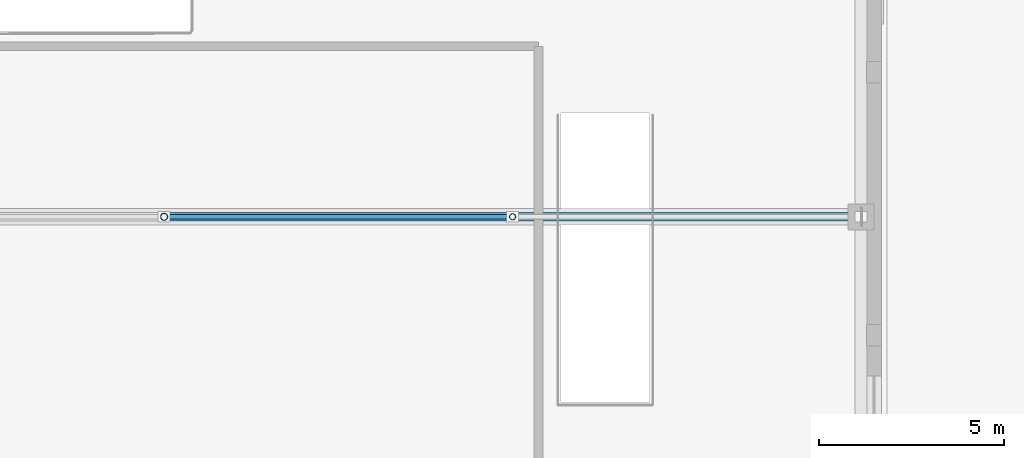
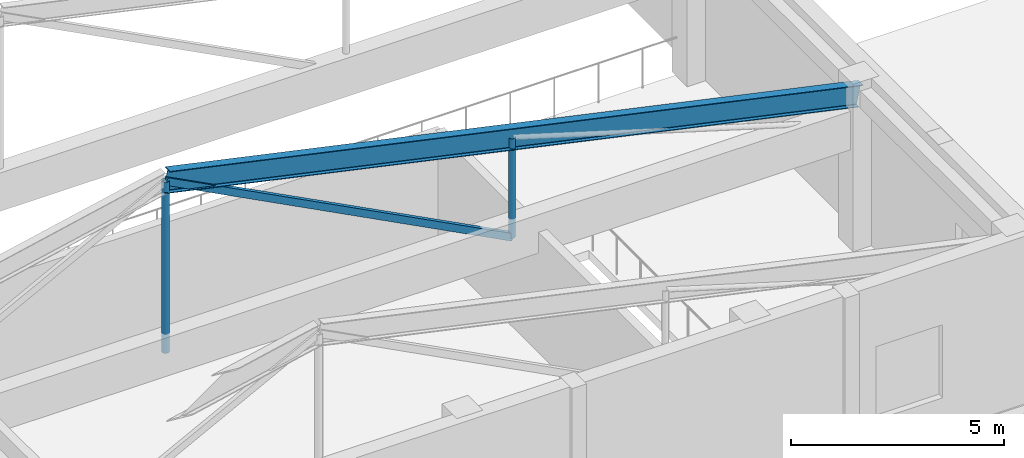
# One storey, part 20 of 105: 3 members, 1 beam.
"""IFC4 building model written with IfcOpenShell, lengths in metres."""

from ifc_helpers import new_model, si_unit, direction, frame, origin, origin_2d, place, context, subcontext, project, spatial, hollow_rectangle, hollow_circle, i_section, extrude, material, material_profile, profile_set, type_object, element, save


model = new_model("IFC4")

# Units and contexts
model_context = context("Model", 3, precision=1e-05, world=origin(), true_north=direction((0.0, 1.0)))
body_context = subcontext(model_context, "Body", "Model", "MODEL_VIEW")
ifc_project = project(units=[si_unit("LENGTHUNIT", "METRE"), si_unit("AREAUNIT", "SQUARE_METRE"), si_unit("VOLUMEUNIT", "CUBIC_METRE"), si_unit("PLANEANGLEUNIT", "RADIAN"), si_unit("MASSUNIT", "GRAM", prefix="KILO")], contexts=[model_context])

# Site, building, storey
site_placement = place(None, origin())
site = spatial("IfcSite", under=ifc_project, at=site_placement, CompositionType="ELEMENT")
building_placement = place(site_placement, origin())
building = spatial("IfcBuilding", under=site, at=building_placement, Name="Pelvatis Terrace Science Centre", CompositionType="ELEMENT")
storey_placement = place(building_placement, frame((0.0, 0.0, 10.199951171875)))
storey = spatial("IfcBuildingStorey", under=building, at=storey_placement, Name="L02", CompositionType="ELEMENT", Elevation=10.199951171875)

# Beam
ifc_material_1 = material(Name="Structural steel S355", Category="steel")
ifc_material_profile_1 = material_profile(ifc_material_1, i_section(OverallWidth=0.22802734375, OverallDepth=0.60791015625, WebThickness=0.01123046875, FlangeThickness=0.017333984375, FilletRadius=0.01611328125, at=origin_2d()), Name="W610x113")
ifc_profile_set_1 = profile_set([ifc_material_profile_1], Name="Structural steel S355")
beam_type = type_object("IfcBeamType", Name="BM-STL-W610x113", PredefinedType="BEAM", material=ifc_profile_set_1)
beam_placement = place(storey_placement, frame((27.300048828125, 78.0, 8.300048828125), z_axis=(0.977034495262, 0.0, -0.213081193603), x_axis=(0.0, 1.0, 0.0)))
element("IfcBeam", 1, at=beam_placement, inside=storey, type_object=beam_type, Name="Theatre roof truss 2 east top girder", PredefinedType="BEAM", context=body_context, shape_type="SweptSolid", body=[
    extrude(i_section(OverallWidth=0.22802734375, OverallDepth=0.60791015625, WebThickness=0.01123046875, FlangeThickness=0.017333984375, FilletRadius=0.01611328125, at=origin_2d()), origin(), (0.0, 0.0, 1.0), 19.241943359375),
])

# Members
ifc_material_2 = material(Name="Structural steel S355", Category="steel")
ifc_material_profile_2 = material_profile(ifc_material_2, hollow_rectangle(XDim=0.1201171875, YDim=0.199951171875, WallThickness=0.00634765625, at=origin_2d()), Name="RHS 200x120x6.3")
ifc_profile_set_2 = profile_set([ifc_material_profile_2], Name="Structural steel S355")
member_type_1 = type_object("IfcMemberType", Name="MEM-BRC-RHS200", PredefinedType="BRACE", material=ifc_profile_set_2)
member_1_placement = place(storey_placement, frame((36.699951171875, 78.0, 3.400146484375), z_axis=(-0.886754801101, 0.0, 0.462240113711), x_axis=(0.0, -1.0, 0.0)))
element("IfcMember", 2, at=member_1_placement, inside=storey, type_object=member_type_1, Name="Theatre truss 2 web 6", PredefinedType="BRACE", context=body_context, shape_type="SweptSolid", body=[
    extrude(hollow_rectangle(XDim=0.1201171875, YDim=0.199951171875, WallThickness=0.00634765625, at=origin_2d()), origin(), (0.0, 0.0, 1.0), 10.600341796875),
])
ifc_material_3 = material(Name="Structural steel S355", Category="steel")
ifc_material_profile_3 = material_profile(ifc_material_3, hollow_circle(Radius=0.084228515625, WallThickness=0.00634765625, at=origin_2d()), Name="CHS 168.3x6.3")
ifc_profile_set_3 = profile_set([ifc_material_profile_3], Name="Structural steel S355")
member_type_2 = type_object("IfcMemberType", Name="MEM-STR-CHS168", PredefinedType="STRUT", material=ifc_profile_set_3)
member_2_placement = place(storey_placement, frame((36.699951171875, 78.0, 3.400146484375), z_axis=(0.0, 0.0, 1.0), x_axis=(1.0, 0.0, 0.0)))
element("IfcMember", 3, at=member_2_placement, inside=storey, type_object=member_type_2, Name="Theatre truss 2 web 2", PredefinedType="STRUT", context=body_context, shape_type="SweptSolid", body=[
    extrude(hollow_circle(Radius=0.084228515625, WallThickness=0.00634765625, at=origin_2d()), origin(), (0.0, 0.0, 1.0), 2.849853515625),
])
ifc_material_4 = material(Name="Structural steel S355", Category="steel")
ifc_material_profile_4 = material_profile(ifc_material_4, hollow_circle(Radius=0.096923828125, WallThickness=0.008056640625, at=origin_2d()), Name="CHS 193.7x8.0")
ifc_profile_set_4 = profile_set([ifc_material_profile_4], Name="Structural steel S355")
member_type_3 = type_object("IfcMemberType", Name="MEM-STR-CHS194", PredefinedType="STRUT", material=ifc_profile_set_4)
member_3_placement = place(storey_placement, frame((27.300048828125, 78.0, 3.400146484375), z_axis=(0.0, 0.0, 1.0), x_axis=(1.0, 0.0, 0.0)))
element("IfcMember", 4, at=member_3_placement, inside=storey, type_object=member_type_3, Name="Theatre roof truss 2 king strut", PredefinedType="STRUT", context=body_context, shape_type="SweptSolid", body=[
    extrude(hollow_circle(Radius=0.096923828125, WallThickness=0.008056640625, at=origin_2d()), origin(), (0.0, 0.0, 1.0), 4.89990234375),
])

save(model, "model.ifc")
